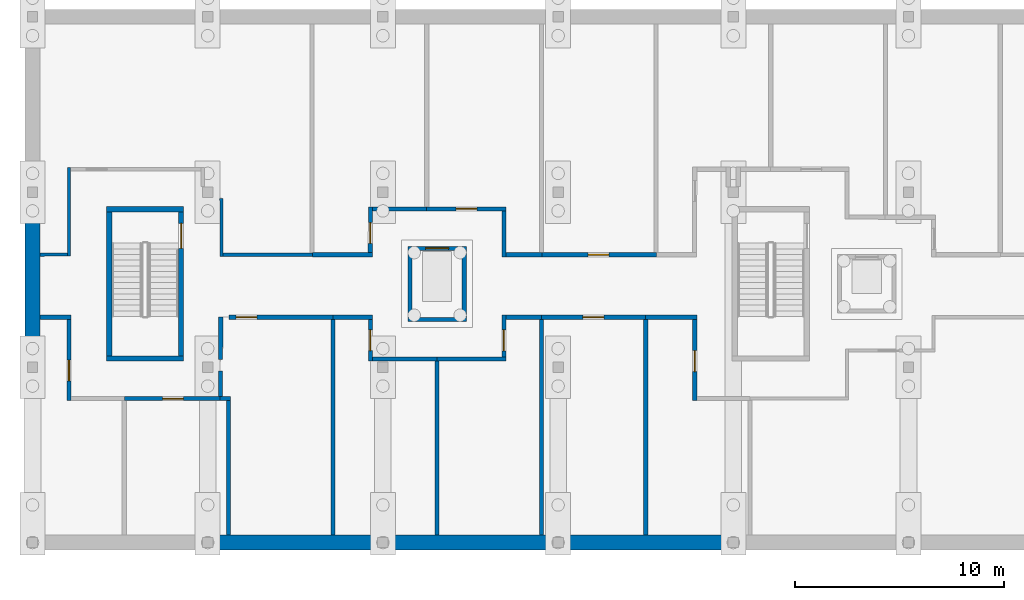
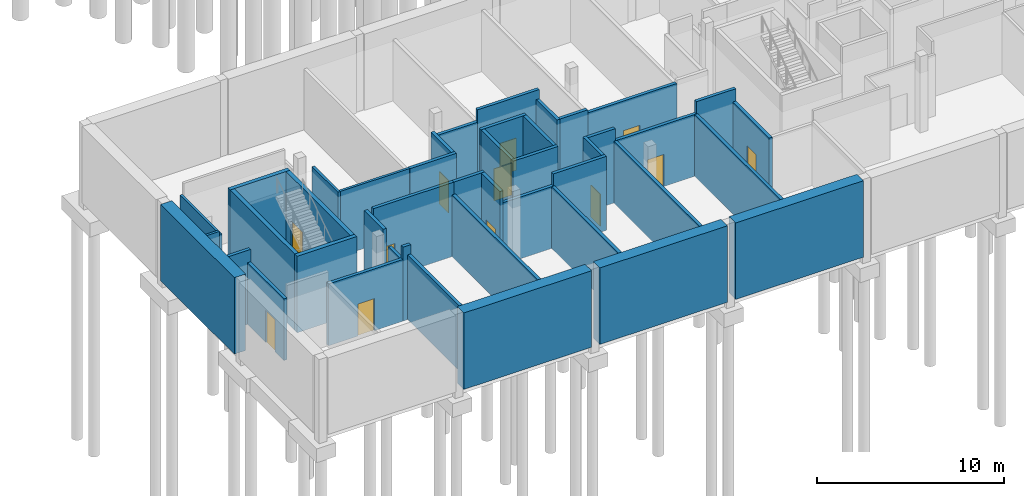
# One storey, part 9 of 33: 44 walls, 12 doors, 12 openings.
"""IFC4 building model written with IfcOpenShell, lengths in metres."""

from ifc_helpers import new_model, si_unit, direction, frame, frame_2d, origin, place, context, subcontext, project, spatial, rectangle, extrude, material, layer, layer_set, type_object, element, fill, save


model = new_model("IFC4")

# Units and contexts
model_context = context("Model", 3, precision=1e-05, world=origin(), true_north=direction((0.0, 1.0)))
body_context = subcontext(model_context, "Body", "Model", "MODEL_VIEW")
ifc_project = project(units=[si_unit("LENGTHUNIT", "METRE"), si_unit("AREAUNIT", "SQUARE_METRE"), si_unit("VOLUMEUNIT", "CUBIC_METRE"), si_unit("PLANEANGLEUNIT", "RADIAN"), si_unit("MASSUNIT", "GRAM", prefix="KILO")], contexts=[model_context])

# Site, building, storey
site_placement = place(None, origin())
site = spatial("IfcSite", under=ifc_project, at=site_placement, CompositionType="ELEMENT")
building_placement = place(site_placement, origin())
building = spatial("IfcBuilding", under=site, at=building_placement, Name="Larchfold Concert Hall", CompositionType="ELEMENT")
storey_placement = place(building_placement, frame((0.0, 0.0, -5.0)))
storey = spatial("IfcBuildingStorey", under=building, at=storey_placement, Name="B1", CompositionType="ELEMENT", Elevation=-5.0)

# Wall
ifc_material_1 = material(Name="Plasterboard partition on steel studs", Category="steel")
ifc_layer_1 = layer(ifc_material_1, 0.199951171875)
ifc_layer_set_1 = layer_set([ifc_layer_1], Name="Plasterboard partition on steel studs")
wall_type_1 = type_object("IfcWallType", Name="Acoustic partition 200", PredefinedType="PARTITIONING", material=ifc_layer_set_1)
wall_1_placement = place(storey_placement, frame((0.949951171875, 11.39990234375, 0.0), z_axis=(0.0, 0.0, 1.0), x_axis=(1.0, 0.0, 0.0)))
element("IfcWall", 1, at=wall_1_placement, inside=storey, type_object=wall_type_1, Name="Partition IW0080", PredefinedType="PARTITIONING", context=body_context, shape_type="SweptSolid", body=[
    extrude(rectangle(XDim=1.5, YDim=0.199951171875, at=frame_2d((0.75, 0.0))), origin(), (0.0, 0.0, 1.0), 4.840087890625),
])

# Wall, opening, door
wall_2_placement = place(storey_placement, frame((2.35009765625, 11.300048828125, 0.0), z_axis=(0.0, 0.0, 1.0), x_axis=(0.0, -1.0, 0.0)))
wall_2 = element("IfcWall", 2, at=wall_2_placement, inside=storey, type_object=wall_type_1, Name="Partition IW0081", PredefinedType="PARTITIONING", context=body_context, shape_type="SweptSolid", body=[
    extrude(rectangle(XDim=3.900146484375, YDim=0.199951171875, at=frame_2d((1.9501953125, 0.0))), origin(), (0.0, 0.0, 1.0), 4.0400390625),
])
opening_1_placement = place(wall_2_placement, frame((1.94970703125, 0.0, 0.0)))
opening_1 = element("IfcOpeningElement", 3, at=opening_1_placement, cuts=wall_2, Name="Opening D-B1-128", PredefinedType="OPENING", context=body_context, shape_type="SweptSolid", body=[
    extrude(rectangle(XDim=1.0, YDim=2.10009765625, at=frame_2d((0.5, 1.050048828125))), frame((0.0, 0.10986328125, 0.0), z_axis=(0.0, -1.0, 0.0), x_axis=(1.0, 0.0, 0.0)), (0.0, 0.0, 1.0), 0.219970703125),
])
ifc_material_2 = material(Name="Timber door leaf", Category="wood")
door_type_1 = type_object("IfcDoorType", Name="Practice and studio door, acoustic 1000 x 2100 FD30S", OperationType="SINGLE_SWING_LEFT", PredefinedType="DOOR", material=ifc_material_2)
door_1_placement = place(opening_1_placement, origin())
door_1 = element("IfcDoor", 4, at=door_1_placement, inside=storey, type_object=door_type_1, Name="Door D-B1-128", OperationType="SINGLE_SWING_LEFT", OverallHeight=2.10009765625, OverallWidth=1.0, PredefinedType="DOOR", context=body_context, shape_type="SweptSolid", body=[
    extrude(rectangle(XDim=1.0, YDim=2.10009765625, at=frame_2d((0.5, 1.050048828125))), frame((0.0, 0.02490234375, 0.0), z_axis=(0.0, -1.0, 0.0), x_axis=(1.0, 0.0, 0.0)), (0.0, 0.0, 1.0), 0.050048828125),
])
fill(opening_1, door_1)

# Walls
wall_3_placement = place(storey_placement, frame((15.0, 0.949951171875, 0.0), z_axis=(0.0, 0.0, 1.0), x_axis=(0.0, 1.0, 0.0)))
element("IfcWall", 5, at=wall_3_placement, inside=storey, type_object=wall_type_1, Name="Partition IW0083", PredefinedType="PARTITIONING", context=body_context, shape_type="SweptSolid", body=[
    extrude(rectangle(XDim=10.35009765625, YDim=0.199951171875, at=frame_2d((5.175048828125, 0.0))), origin(), (0.0, 0.0, 1.0), 4.0400390625),
])
wall_4_placement = place(storey_placement, frame((20.0, 9.300048828125, 0.0), z_axis=(0.0, 0.0, 1.0), x_axis=(0.0, -1.0, 0.0)))
element("IfcWall", 6, at=wall_4_placement, inside=storey, type_object=wall_type_1, Name="Partition IW0084", PredefinedType="PARTITIONING", context=body_context, shape_type="SweptSolid", body=[
    extrude(rectangle(XDim=8.35009765625, YDim=0.199951171875, at=frame_2d((4.175048828125, 0.0))), origin(), (0.0, 0.0, 1.0), 4.0400390625),
])
wall_5_placement = place(storey_placement, frame((15.0, 11.39990234375, 0.0), z_axis=(0.0, 0.0, 1.0), x_axis=(1.0, 0.0, 0.0)))
element("IfcWall", 7, at=wall_5_placement, inside=storey, type_object=wall_type_1, Name="Partition IW0085", PredefinedType="PARTITIONING", context=body_context, shape_type="SweptSolid", body=[
    extrude(rectangle(XDim=1.89990234375, YDim=0.199951171875, at=frame_2d((0.949951171875, 0.0))), origin(), (0.0, 0.0, 1.0), 4.840087890625),
])

# Wall, opening, door
wall_6_placement = place(storey_placement, frame((16.800048828125, 11.300048828125, 0.0), z_axis=(0.0, 0.0, 1.0), x_axis=(0.0, -1.0, 0.0)))
wall_6 = element("IfcWall", 8, at=wall_6_placement, inside=storey, type_object=wall_type_1, Name="Partition IW0086", PredefinedType="PARTITIONING", context=body_context, shape_type="SweptSolid", body=[
    extrude(rectangle(XDim=2.0, YDim=0.199951171875, at=frame_2d((1.0, 0.0))), origin(), (0.0, 0.0, 1.0), 4.840087890625),
])
opening_2_placement = place(wall_6_placement, frame((0.5, 0.0, 0.0)))
opening_2 = element("IfcOpeningElement", 9, at=opening_2_placement, cuts=wall_6, Name="Opening D-B1-129", PredefinedType="OPENING", context=body_context, shape_type="SweptSolid", body=[
    extrude(rectangle(XDim=1.0, YDim=2.10009765625, at=frame_2d((0.5, 1.050048828125))), frame((0.0, 0.10986328125, 0.0), z_axis=(0.0, -1.0, 0.0), x_axis=(1.0, 0.0, 0.0)), (0.0, 0.0, 1.0), 0.219970703125),
])
door_2_placement = place(opening_2_placement, origin())
door_2 = element("IfcDoor", 10, at=door_2_placement, inside=storey, type_object=door_type_1, Name="Door D-B1-129", OperationType="SINGLE_SWING_LEFT", OverallHeight=2.10009765625, OverallWidth=1.0, PredefinedType="DOOR", context=body_context, shape_type="SweptSolid", body=[
    extrude(rectangle(XDim=1.0, YDim=2.10009765625, at=frame_2d((0.5, 1.050048828125))), frame((0.0, 0.02490234375, 0.0), z_axis=(0.0, -1.0, 0.0), x_axis=(1.0, 0.0, 0.0)), (0.0, 0.0, 1.0), 0.050048828125),
])
fill(opening_2, door_2)

# Walls
wall_7_placement = place(storey_placement, frame((16.89990234375, 9.39990234375, 0.0), z_axis=(0.0, 0.0, 1.0), x_axis=(1.0, 0.0, 0.0)))
element("IfcWall", 11, at=wall_7_placement, inside=storey, type_object=wall_type_1, Name="Partition IW0087", PredefinedType="PARTITIONING", context=body_context, shape_type="SweptSolid", body=[
    extrude(rectangle(XDim=3.10009765625, YDim=0.199951171875, at=frame_2d((1.550048828125, 0.0))), origin(), (0.0, 0.0, 1.0), 4.0400390625),
])
wall_8_placement = place(storey_placement, frame((30.0, 0.949951171875, 0.0), z_axis=(0.0, 0.0, 1.0), x_axis=(0.0, 1.0, 0.0)))
element("IfcWall", 12, at=wall_8_placement, inside=storey, type_object=wall_type_1, Name="Partition IW0088", PredefinedType="PARTITIONING", context=body_context, shape_type="SweptSolid", body=[
    extrude(rectangle(XDim=10.35009765625, YDim=0.199951171875, at=frame_2d((5.175048828125, 0.0))), origin(), (0.0, 0.0, 1.0), 4.0400390625),
])
wall_9_placement = place(storey_placement, frame((30.0, 11.39990234375, 0.0), z_axis=(0.0, 0.0, 1.0), x_axis=(1.0, 0.0, 0.0)))
element("IfcWall", 13, at=wall_9_placement, inside=storey, type_object=wall_type_1, Name="Partition IW0090", PredefinedType="PARTITIONING", context=body_context, shape_type="SweptSolid", body=[
    extrude(rectangle(XDim=2.449951171875, YDim=0.199951171875, at=frame_2d((1.22509765625, 0.0))), origin(), (0.0, 0.0, 1.0), 4.840087890625),
])

# Wall, opening, door
wall_10_placement = place(storey_placement, frame((32.35009765625, 11.300048828125, 0.0), z_axis=(0.0, 0.0, 1.0), x_axis=(0.0, -1.0, 0.0)))
wall_10 = element("IfcWall", 14, at=wall_10_placement, inside=storey, type_object=wall_type_1, Name="Partition IW0091", PredefinedType="PARTITIONING", context=body_context, shape_type="SweptSolid", body=[
    extrude(rectangle(XDim=3.900146484375, YDim=0.199951171875, at=frame_2d((1.9501953125, 0.0))), origin(), (0.0, 0.0, 1.0), 4.0400390625),
])
opening_3_placement = place(wall_10_placement, frame((1.500244140625, 0.0, 0.0)))
opening_3 = element("IfcOpeningElement", 15, at=opening_3_placement, cuts=wall_10, Name="Opening D-B1-130", PredefinedType="OPENING", context=body_context, shape_type="SweptSolid", body=[
    extrude(rectangle(XDim=1.0, YDim=2.10009765625, at=frame_2d((0.5, 1.050048828125))), frame((0.0, 0.10986328125, 0.0), z_axis=(0.0, -1.0, 0.0), x_axis=(1.0, 0.0, 0.0)), (0.0, 0.0, 1.0), 0.219970703125),
])
door_3_placement = place(opening_3_placement, origin())
door_3 = element("IfcDoor", 16, at=door_3_placement, inside=storey, type_object=door_type_1, Name="Door D-B1-130", OperationType="SINGLE_SWING_LEFT", OverallHeight=2.10009765625, OverallWidth=1.0, PredefinedType="DOOR", context=body_context, shape_type="SweptSolid", body=[
    extrude(rectangle(XDim=1.0, YDim=2.10009765625, at=frame_2d((0.5, 1.050048828125))), frame((0.0, 0.02490234375, 0.0), z_axis=(0.0, -1.0, 0.0), x_axis=(1.0, 0.0, 0.0)), (0.0, 0.0, 1.0), 0.050048828125),
])
fill(opening_3, door_3)

# Walls
wall_11_placement = place(storey_placement, frame((9.60009765625, 7.5, 0.0), z_axis=(0.0, 0.0, 1.0), x_axis=(1.0, 0.0, 0.0)))
element("IfcWall", 17, at=wall_11_placement, inside=storey, type_object=wall_type_1, Name="Partition IW0093", PredefinedType="PARTITIONING", context=body_context, shape_type="SweptSolid", body=[
    extrude(rectangle(XDim=0.5, YDim=0.199951171875, at=frame_2d((0.25, 0.0))), origin(), (0.0, 0.0, 1.0), 4.840087890625),
])
wall_12_placement = place(storey_placement, frame((10.0, 7.39990234375, 0.0), z_axis=(0.0, 0.0, 1.0), x_axis=(0.0, -1.0, 0.0)))
element("IfcWall", 18, at=wall_12_placement, inside=storey, type_object=wall_type_1, Name="Partition IW0094", PredefinedType="PARTITIONING", context=body_context, shape_type="SweptSolid", body=[
    extrude(rectangle(XDim=6.449951171875, YDim=0.199951171875, at=frame_2d((3.22509765625, 0.0))), origin(), (0.0, 0.0, 1.0), 4.239990234375),
])

# Wall, opening, door
wall_13_placement = place(storey_placement, frame((5.0, 7.5, 0.0), z_axis=(0.0, 0.0, 1.0), x_axis=(1.0, 0.0, 0.0)))
wall_13 = element("IfcWall", 19, at=wall_13_placement, inside=storey, type_object=wall_type_1, Name="Partition IW0095", PredefinedType="PARTITIONING", context=body_context, shape_type="SweptSolid", body=[
    extrude(rectangle(XDim=4.59912109375, YDim=0.199951171875, at=frame_2d((2.299560546875, 0.0))), origin(), (0.0, 0.0, 1.0), 4.0400390625),
])
opening_4_placement = place(wall_13_placement, frame((1.83447265625, 0.0, 0.0)))
opening_4 = element("IfcOpeningElement", 20, at=opening_4_placement, cuts=wall_13, Name="Opening D-B1-131", PredefinedType="OPENING", context=body_context, shape_type="SweptSolid", body=[
    extrude(rectangle(XDim=1.0, YDim=2.10009765625, at=frame_2d((0.5, 1.050048828125))), frame((0.0, 0.10986328125, 0.0), z_axis=(0.0, -1.0, 0.0), x_axis=(1.0, 0.0, 0.0)), (0.0, 0.0, 1.0), 0.219970703125),
])
door_4_placement = place(opening_4_placement, origin())
door_4 = element("IfcDoor", 21, at=door_4_placement, inside=storey, type_object=door_type_1, Name="Door D-B1-131", OperationType="SINGLE_SWING_RIGHT", OverallHeight=2.10009765625, OverallWidth=1.0, PredefinedType="DOOR", context=body_context, shape_type="SweptSolid", body=[
    extrude(rectangle(XDim=1.0, YDim=2.10009765625, at=frame_2d((0.5, 1.050048828125))), frame((0.0, 0.02490234375, 0.0), z_axis=(0.0, -1.0, 0.0), x_axis=(1.0, 0.0, 0.0)), (0.0, 0.0, 1.0), 0.050048828125),
])
fill(opening_4, door_4)

# Walls
wall_14_placement = place(storey_placement, frame((9.619873046875, 7.60205078125, 0.0), z_axis=(0.0, 0.0, 1.0), x_axis=(-0.000795228377, 0.999999683806, 0.0)))
element("IfcWall", 22, at=wall_14_placement, inside=storey, type_object=wall_type_1, Name="Partition IW0096", PredefinedType="PARTITIONING", context=body_context, shape_type="SweptSolid", body=[
    extrude(rectangle(XDim=1.22802734375, YDim=0.199951171875, at=frame_2d((0.614013671875, 0.0))), origin(), (0.0, 0.0, 1.0), 4.0400390625),
])
wall_15_placement = place(storey_placement, frame((9.6201171875, 9.3701171875, 0.0), z_axis=(0.0, 0.0, 1.0), x_axis=(0.00191961254, 0.999998157542, 0.0)))
element("IfcWall", 23, at=wall_15_placement, inside=storey, type_object=wall_type_1, Name="Partition IW0097", PredefinedType="PARTITIONING", context=body_context, shape_type="SweptSolid", body=[
    extrude(rectangle(XDim=2.034912109375, YDim=0.199951171875, at=frame_2d((1.017578125, 0.0))), origin(), (0.0, 0.0, 1.0), 4.840087890625),
])

# Wall, opening, door
wall_16_placement = place(storey_placement, frame((10.029052734375, 11.39990234375, 0.0), z_axis=(0.0, 0.0, 1.0), x_axis=(1.0, 0.0, 0.0)))
wall_16 = element("IfcWall", 24, at=wall_16_placement, inside=storey, type_object=wall_type_1, Name="Partition IW0098", PredefinedType="PARTITIONING", context=body_context, shape_type="SweptSolid", body=[
    extrude(rectangle(XDim=4.970947265625, YDim=0.199951171875, at=frame_2d((2.4853515625, 0.0))), origin(), (0.0, 0.0, 1.0), 4.840087890625),
])
opening_5_placement = place(wall_16_placement, frame((0.331298828125, 0.0, 0.0)))
opening_5 = element("IfcOpeningElement", 25, at=opening_5_placement, cuts=wall_16, Name="Opening D-B1-132", PredefinedType="OPENING", context=body_context, shape_type="SweptSolid", body=[
    extrude(rectangle(XDim=1.0, YDim=2.10009765625, at=frame_2d((0.5, 1.050048828125))), frame((0.0, 0.10986328125, 0.0), z_axis=(0.0, -1.0, 0.0), x_axis=(1.0, 0.0, 0.0)), (0.0, 0.0, 1.0), 0.219970703125),
])
door_5_placement = place(opening_5_placement, origin())
door_5 = element("IfcDoor", 26, at=door_5_placement, inside=storey, type_object=door_type_1, Name="Door D-B1-132", OperationType="SINGLE_SWING_LEFT", OverallHeight=2.10009765625, OverallWidth=1.0, PredefinedType="DOOR", context=body_context, shape_type="SweptSolid", body=[
    extrude(rectangle(XDim=1.0, YDim=2.10009765625, at=frame_2d((0.5, 1.050048828125))), frame((0.0, 0.02490234375, 0.0), z_axis=(0.0, -1.0, 0.0), x_axis=(1.0, 0.0, 0.0)), (0.0, 0.0, 1.0), 0.050048828125),
])
fill(opening_5, door_5)

# Walls
wall_17_placement = place(storey_placement, frame((25.0, 11.300048828125, 0.0), z_axis=(0.0, 0.0, 1.0), x_axis=(0.0, -1.0, 0.0)))
element("IfcWall", 27, at=wall_17_placement, inside=storey, type_object=wall_type_1, Name="Partition IW0099", PredefinedType="PARTITIONING", context=body_context, shape_type="SweptSolid", body=[
    extrude(rectangle(XDim=10.35009765625, YDim=0.199951171875, at=frame_2d((5.175048828125, 0.0))), origin(), (0.0, 0.0, 1.0), 4.0400390625),
])
wall_18_placement = place(storey_placement, frame((20.0, 9.39990234375, 0.0), z_axis=(0.0, 0.0, 1.0), x_axis=(1.0, 0.0, 0.0)))
element("IfcWall", 28, at=wall_18_placement, inside=storey, type_object=wall_type_1, Name="Partition IW0100", PredefinedType="PARTITIONING", context=body_context, shape_type="SweptSolid", body=[
    extrude(rectangle(XDim=3.300048828125, YDim=0.199951171875, at=frame_2d((1.64990234375, 0.0))), origin(), (0.0, 0.0, 1.0), 4.840087890625),
])

# Wall, opening, door
wall_19_placement = place(storey_placement, frame((23.199951171875, 9.5, 0.0), z_axis=(0.0, 0.0, 1.0), x_axis=(0.0, 1.0, 0.0)))
wall_19 = element("IfcWall", 29, at=wall_19_placement, inside=storey, type_object=wall_type_1, Name="Partition IW0101", PredefinedType="PARTITIONING", context=body_context, shape_type="SweptSolid", body=[
    extrude(rectangle(XDim=2.0, YDim=0.199951171875, at=frame_2d((1.0, 0.0))), origin(), (0.0, 0.0, 1.0), 4.840087890625),
])
opening_6_placement = place(wall_19_placement, frame((0.290283203125, 0.0, 0.0)))
opening_6 = element("IfcOpeningElement", 30, at=opening_6_placement, cuts=wall_19, Name="Opening D-B1-133", PredefinedType="OPENING", context=body_context, shape_type="SweptSolid", body=[
    extrude(rectangle(XDim=1.0, YDim=2.10009765625, at=frame_2d((0.5, 1.050048828125))), frame((0.0, 0.10986328125, 0.0), z_axis=(0.0, -1.0, 0.0), x_axis=(1.0, 0.0, 0.0)), (0.0, 0.0, 1.0), 0.219970703125),
])
door_6_placement = place(opening_6_placement, origin())
door_6 = element("IfcDoor", 31, at=door_6_placement, inside=storey, type_object=door_type_1, Name="Door D-B1-133", OperationType="SINGLE_SWING_LEFT", OverallHeight=2.10009765625, OverallWidth=1.0, PredefinedType="DOOR", context=body_context, shape_type="SweptSolid", body=[
    extrude(rectangle(XDim=1.0, YDim=2.10009765625, at=frame_2d((0.5, 1.050048828125))), frame((0.0, 0.02490234375, 0.0), z_axis=(0.0, -1.0, 0.0), x_axis=(1.0, 0.0, 0.0)), (0.0, 0.0, 1.0), 0.050048828125),
])
fill(opening_6, door_6)

# Wall
wall_20_placement = place(storey_placement, frame((23.300048828125, 11.39990234375, 0.0), z_axis=(0.0, 0.0, 1.0), x_axis=(1.0, 0.0, 0.0)))
element("IfcWall", 32, at=wall_20_placement, inside=storey, type_object=wall_type_1, Name="Partition IW0102", PredefinedType="PARTITIONING", context=body_context, shape_type="SweptSolid", body=[
    extrude(rectangle(XDim=1.699951171875, YDim=0.199951171875, at=frame_2d((0.85009765625, 0.0))), origin(), (0.0, 0.0, 1.0), 4.840087890625),
])

# Wall, opening, door
wall_21_placement = place(storey_placement, frame((25.0, 11.39990234375, 0.0), z_axis=(0.0, 0.0, 1.0), x_axis=(1.0, 0.0, 0.0)))
wall_21 = element("IfcWall", 33, at=wall_21_placement, inside=storey, type_object=wall_type_1, Name="Partition IW0103", PredefinedType="PARTITIONING", context=body_context, shape_type="SweptSolid", body=[
    extrude(rectangle(XDim=5.0, YDim=0.199951171875, at=frame_2d((2.5, 0.0))), origin(), (0.0, 0.0, 1.0), 4.0400390625),
])
opening_7_placement = place(wall_21_placement, frame((1.990478515625, 0.0, 0.0)))
opening_7 = element("IfcOpeningElement", 34, at=opening_7_placement, cuts=wall_21, Name="Opening D-B1-134", PredefinedType="OPENING", context=body_context, shape_type="SweptSolid", body=[
    extrude(rectangle(XDim=1.0, YDim=2.10009765625, at=frame_2d((0.5, 1.050048828125))), frame((0.0, 0.10986328125, 0.0), z_axis=(0.0, -1.0, 0.0), x_axis=(1.0, 0.0, 0.0)), (0.0, 0.0, 1.0), 0.219970703125),
])
door_7_placement = place(opening_7_placement, origin())
door_7 = element("IfcDoor", 35, at=door_7_placement, inside=storey, type_object=door_type_1, Name="Door D-B1-134", OperationType="SINGLE_SWING_LEFT", OverallHeight=2.10009765625, OverallWidth=1.0, PredefinedType="DOOR", context=body_context, shape_type="SweptSolid", body=[
    extrude(rectangle(XDim=1.0, YDim=2.10009765625, at=frame_2d((0.5, 1.050048828125))), frame((0.0, 0.02490234375, 0.0), z_axis=(0.0, -1.0, 0.0), x_axis=(1.0, 0.0, 0.0)), (0.0, 0.0, 1.0), 0.050048828125),
])
fill(opening_7, door_7)

wall_22_placement = place(storey_placement, frame((19.47998046875, 16.59912109375, 0.0), z_axis=(0.0, 0.0, 1.0), x_axis=(1.0, 0.0, 0.0)))
wall_22 = element("IfcWall", 36, at=wall_22_placement, inside=storey, type_object=wall_type_1, Name="Partition IW0118", PredefinedType="PARTITIONING", context=body_context, shape_type="SweptSolid", body=[
    extrude(rectangle(XDim=3.819091796875, YDim=0.199951171875, at=frame_2d((1.90966796875, 0.0))), origin(), (0.0, 0.0, 1.0), 4.840087890625),
])
opening_8_placement = place(wall_22_placement, frame((1.4306640625, 0.0, 0.0)))
opening_8 = element("IfcOpeningElement", 37, at=opening_8_placement, cuts=wall_22, Name="Opening D-B1-138", PredefinedType="OPENING", context=body_context, shape_type="SweptSolid", body=[
    extrude(rectangle(XDim=1.0, YDim=2.10009765625, at=frame_2d((0.5, 1.050048828125))), frame((0.0, 0.10986328125, 0.0), z_axis=(0.0, -1.0, 0.0), x_axis=(1.0, 0.0, 0.0)), (0.0, 0.0, 1.0), 0.219970703125),
])
door_8_placement = place(opening_8_placement, origin())
door_8 = element("IfcDoor", 38, at=door_8_placement, inside=storey, type_object=door_type_1, Name="Door D-B1-138", OperationType="SINGLE_SWING_LEFT", OverallHeight=2.10009765625, OverallWidth=1.0, PredefinedType="DOOR", context=body_context, shape_type="SweptSolid", body=[
    extrude(rectangle(XDim=1.0, YDim=2.10009765625, at=frame_2d((0.5, 1.050048828125))), frame((0.0, 0.02490234375, 0.0), z_axis=(0.0, -1.0, 0.0), x_axis=(1.0, 0.0, 0.0)), (0.0, 0.0, 1.0), 0.050048828125),
])
fill(opening_8, door_8)

# Walls
wall_23_placement = place(storey_placement, frame((23.199462890625, 16.4990234375, 0.0), z_axis=(0.0, 0.0, 1.0), x_axis=(0.004549947354, -0.999989648936, 0.0)))
element("IfcWall", 39, at=wall_23_placement, inside=storey, type_object=wall_type_1, Name="Partition IW0119", PredefinedType="PARTITIONING", context=body_context, shape_type="SweptSolid", body=[
    extrude(rectangle(XDim=2.199951171875, YDim=0.199951171875, at=frame_2d((1.10009765625, 0.0))), origin(), (0.0, 0.0, 1.0), 4.239990234375),
])
wall_24_placement = place(storey_placement, frame((23.30908203125, 14.39892578125, 0.0), z_axis=(0.0, 0.0, 1.0), x_axis=(1.0, 0.0, 0.0)))
element("IfcWall", 40, at=wall_24_placement, inside=storey, type_object=wall_type_1, Name="Partition IW0120", PredefinedType="PARTITIONING", context=body_context, shape_type="SweptSolid", body=[
    extrude(rectangle(XDim=1.7109375, YDim=0.199951171875, at=frame_2d((0.85546875, 0.0))), origin(), (0.0, 0.0, 1.0), 4.239990234375),
])

# Wall, opening, door
wall_25_placement = place(storey_placement, frame((25.02001953125, 14.39892578125, 0.0), z_axis=(0.0, 0.0, 1.0), x_axis=(1.0, 0.0, 0.0)))
wall_25 = element("IfcWall", 41, at=wall_25_placement, inside=storey, type_object=wall_type_1, Name="Partition IW0121", PredefinedType="PARTITIONING", context=body_context, shape_type="SweptSolid", body=[
    extrude(rectangle(XDim=5.5, YDim=0.199951171875, at=frame_2d((2.75, 0.0))), origin(), (0.0, 0.0, 1.0), 4.0400390625),
])
opening_9_placement = place(wall_25_placement, frame((2.220458984375, 0.0, 0.0)))
opening_9 = element("IfcOpeningElement", 42, at=opening_9_placement, cuts=wall_25, Name="Opening D-B1-139", PredefinedType="OPENING", context=body_context, shape_type="SweptSolid", body=[
    extrude(rectangle(XDim=1.0, YDim=2.10009765625, at=frame_2d((0.5, 1.050048828125))), frame((0.0, 0.10986328125, 0.0), z_axis=(0.0, -1.0, 0.0), x_axis=(1.0, 0.0, 0.0)), (0.0, 0.0, 1.0), 0.219970703125),
])
door_9_placement = place(opening_9_placement, origin())
door_9 = element("IfcDoor", 43, at=door_9_placement, inside=storey, type_object=door_type_1, Name="Door D-B1-139", OperationType="SINGLE_SWING_RIGHT", OverallHeight=2.10009765625, OverallWidth=1.0, PredefinedType="DOOR", context=body_context, shape_type="SweptSolid", body=[
    extrude(rectangle(XDim=1.0, YDim=2.10009765625, at=frame_2d((0.5, 1.050048828125))), frame((0.0, 0.02490234375, 0.0), z_axis=(0.0, -1.0, 0.0), x_axis=(1.0, 0.0, 0.0)), (0.0, 0.0, 1.0), 0.050048828125),
])
fill(opening_9, door_9)

# Wall
wall_26_placement = place(storey_placement, frame((14.02001953125, 14.39892578125, 0.0), z_axis=(0.0, 0.0, 1.0), x_axis=(0.999999909799, 0.000424736625, 0.0)))
element("IfcWall", 44, at=wall_26_placement, inside=storey, type_object=wall_type_1, Name="Partition IW0129", PredefinedType="PARTITIONING", context=body_context, shape_type="SweptSolid", body=[
    extrude(rectangle(XDim=2.8740234375, YDim=0.199951171875, at=frame_2d((1.43701171875, 0.0))), origin(), (0.0, 0.0, 1.0), 4.239990234375),
])

# Wall, opening, door
wall_27_placement = place(storey_placement, frame((16.79443359375, 14.5, 0.0), z_axis=(0.0, 0.0, 1.0), x_axis=(0.003108678218, 0.999995168048, 0.0)))
wall_27 = element("IfcWall", 45, at=wall_27_placement, inside=storey, type_object=wall_type_1, Name="Partition IW0130", PredefinedType="PARTITIONING", context=body_context, shape_type="SweptSolid", body=[
    extrude(rectangle(XDim=2.198974609375, YDim=0.199951171875, at=frame_2d((1.099609375, 0.0))), origin(), (0.0, 0.0, 1.0), 4.239990234375),
])
opening_10_placement = place(wall_27_placement, frame((0.440185546875, 0.0, 0.0)))
opening_10 = element("IfcOpeningElement", 46, at=opening_10_placement, cuts=wall_27, Name="Opening D-B1-143", PredefinedType="OPENING", context=body_context, shape_type="SweptSolid", body=[
    extrude(rectangle(XDim=1.0, YDim=2.10009765625, at=frame_2d((0.5, 1.050048828125))), frame((0.0, 0.10986328125, 0.0), z_axis=(0.0, -1.0, 0.0), x_axis=(1.0, 0.0, 0.0)), (0.0, 0.0, 1.0), 0.219970703125),
])
door_10_placement = place(opening_10_placement, origin())
door_10 = element("IfcDoor", 47, at=door_10_placement, inside=storey, type_object=door_type_1, Name="Door D-B1-143", OperationType="SINGLE_SWING_LEFT", OverallHeight=2.10009765625, OverallWidth=1.0, PredefinedType="DOOR", context=body_context, shape_type="SweptSolid", body=[
    extrude(rectangle(XDim=1.0, YDim=2.10009765625, at=frame_2d((0.5, 1.050048828125))), frame((0.0, 0.02490234375, 0.0), z_axis=(0.0, -1.0, 0.0), x_axis=(1.0, 0.0, 0.0)), (0.0, 0.0, 1.0), 0.050048828125),
])
fill(opening_10, door_10)

# Walls
wall_28_placement = place(storey_placement, frame((16.90087890625, 16.59912109375, 0.0), z_axis=(0.0, 0.0, 1.0), x_axis=(1.0, 0.0, 0.0)))
element("IfcWall", 48, at=wall_28_placement, inside=storey, type_object=wall_type_1, Name="Partition IW0131", PredefinedType="PARTITIONING", context=body_context, shape_type="SweptSolid", body=[
    extrude(rectangle(XDim=2.5791015625, YDim=0.199951171875, at=frame_2d((1.28955078125, 0.0))), origin(), (0.0, 0.0, 1.0), 4.0400390625),
])
ifc_material_3 = material(Name="Plasterboard partition on steel studs", Category="steel")
ifc_layer_2 = layer(ifc_material_3, 0.14990234375)
ifc_layer_set_2 = layer_set([ifc_layer_2], Name="Plasterboard partition on steel studs")
wall_type_2 = type_object("IfcWallType", Name="Shaft and plant partition 150 EI 120", PredefinedType="PARTITIONING", material=ifc_layer_set_2)
wall_29_placement = place(storey_placement, frame((2.35009765625, 14.3310546875, 0.0), z_axis=(0.0, 0.0, 1.0), x_axis=(0.000230162834, 0.999999973513, 0.0)))
element("IfcWall", 49, at=wall_29_placement, inside=storey, type_object=wall_type_2, Name="Partition IW0112", PredefinedType="PARTITIONING", context=body_context, shape_type="SweptSolid", body=[
    extrude(rectangle(XDim=4.242919921875, YDim=0.14990234375, at=frame_2d((2.12158203125, 0.0))), origin(), (0.0, 0.0, 1.0), 4.0400390625),
])
wall_30_placement = place(storey_placement, frame((9.652099609375, 17.0849609375, 0.0), z_axis=(0.0, 0.0, 1.0), x_axis=(0.002564320864, -0.999996712124, 0.0)))
element("IfcWall", 50, at=wall_30_placement, inside=storey, type_object=wall_type_2, Name="Partition IW0115", PredefinedType="PARTITIONING", context=body_context, shape_type="SweptSolid", body=[
    extrude(rectangle(XDim=2.760986328125, YDim=0.14990234375, at=frame_2d((1.38037109375, 0.0))), origin(), (0.0, 0.0, 1.0), 4.239990234375),
])
wall_31_placement = place(storey_placement, frame((9.73388671875, 14.39892578125, 0.0), z_axis=(0.0, 0.0, 1.0), x_axis=(1.0, 0.0, 0.0)))
element("IfcWall", 51, at=wall_31_placement, inside=storey, type_object=wall_type_2, Name="Partition IW0116", PredefinedType="PARTITIONING", context=body_context, shape_type="SweptSolid", body=[
    extrude(rectangle(XDim=4.2861328125, YDim=0.14990234375, at=frame_2d((2.14306640625, 0.0))), origin(), (0.0, 0.0, 1.0), 4.239990234375),
])
wall_32_placement = place(storey_placement, frame((0.949951171875, 14.400146484375, 0.0), z_axis=(0.0, 0.0, 1.0), x_axis=(0.999991019507, 0.004238030855, 0.0)))
element("IfcWall", 52, at=wall_32_placement, inside=storey, type_object=wall_type_2, Name="Partition IW0117", PredefinedType="PARTITIONING", context=body_context, shape_type="SweptSolid", body=[
    extrude(rectangle(XDim=1.324951171875, YDim=0.14990234375, at=frame_2d((0.66259765625, 0.0))), origin(), (0.0, 0.0, 1.0), 4.239990234375),
])
ifc_material_4 = material(Name="Concrete C40/50", Category="concrete")
ifc_layer_3 = layer(ifc_material_4, 0.199951171875)
ifc_layer_set_3 = layer_set([ifc_layer_3], Name="Concrete C40/50")
wall_type_3 = type_object("IfcWallType", Name="Wall RC 200 lift shaft", PredefinedType="SOLIDWALL", material=ifc_layer_set_3)
wall_33_placement = place(storey_placement, frame((18.60009765625, 11.300048828125, -1.39990234375), z_axis=(0.0, 0.0, 1.0), x_axis=(1.0, 0.0, 0.0)))
element("IfcWall", 53, at=wall_33_placement, inside=storey, type_object=wall_type_3, Name="Wall W0192", PredefinedType="SOLIDWALL", context=body_context, shape_type="SweptSolid", body=[
    extrude(rectangle(XDim=2.7998046875, YDim=0.199951171875, at=frame_2d((1.39990234375, 0.0))), origin(), (0.0, 0.0, 1.0), 6.39990234375),
])

# Wall, opening, door
wall_34_placement = place(storey_placement, frame((18.60009765625, 14.699951171875, -1.39990234375), z_axis=(0.0, 0.0, 1.0), x_axis=(1.0, 0.0, 0.0)))
wall_34 = element("IfcWall", 54, at=wall_34_placement, inside=storey, type_object=wall_type_3, Name="Wall W0193", PredefinedType="SOLIDWALL", context=body_context, shape_type="SweptSolid", body=[
    extrude(rectangle(XDim=2.7998046875, YDim=0.199951171875, at=frame_2d((1.39990234375, 0.0))), origin(), (0.0, 0.0, 1.0), 6.39990234375),
])
opening_11_placement = place(wall_34_placement, frame((0.849853515625, 0.0, 1.39990234375)))
opening_11 = element("IfcOpeningElement", 55, at=opening_11_placement, cuts=wall_34, Name="Opening LD-LF10", PredefinedType="OPENING", context=body_context, shape_type="SweptSolid", body=[
    extrude(rectangle(XDim=1.10009765625, YDim=2.10009765625, at=frame_2d((0.550048828125, 1.050048828125))), frame((0.0, 0.10986328125, 0.0), z_axis=(0.0, -1.0, 0.0), x_axis=(1.0, 0.0, 0.0)), (0.0, 0.0, 1.0), 0.219970703125),
])
ifc_material_5 = material(Name="Stainless steel sliding leaves", Category="steel")
door_type_2 = type_object("IfcDoorType", Name="Lift landing door sliding 1100 x 2100", OperationType="SLIDING_TO_LEFT", PredefinedType="DOOR", material=ifc_material_5)
door_11_placement = place(opening_11_placement, origin())
door_11 = element("IfcDoor", 56, at=door_11_placement, inside=storey, type_object=door_type_2, Name="Lift landing door LF10", OperationType="SLIDING_TO_LEFT", OverallHeight=2.10009765625, OverallWidth=1.10009765625, PredefinedType="DOOR", context=body_context, shape_type="SweptSolid", body=[
    extrude(rectangle(XDim=1.10009765625, YDim=2.10009765625, at=frame_2d((0.550048828125, 1.050048828125))), frame((0.0, 0.02490234375, 0.0), z_axis=(0.0, -1.0, 0.0), x_axis=(1.0, 0.0, 0.0)), (0.0, 0.0, 1.0), 0.050048828125),
])
fill(opening_11, door_11)

# Walls
for number, where, z_axis, x_axis, name in (
    (57, (18.7001953125, 11.39990234375, -1.39990234375), (0.0, 0.0, 1.0), (0.0, 1.0, 0.0), "Wall W0194"),
    (58, (21.2998046875, 11.39990234375, -1.39990234375), (0.0, 0.0, 1.0), (0.0, 1.0, 0.0), "Wall W0195"),
):
    element("IfcWall", number, at=place(storey_placement, frame(where, z_axis=z_axis, x_axis=x_axis)), inside=storey, type_object=wall_type_3, Name=name, PredefinedType="SOLIDWALL", context=body_context, shape_type="SweptSolid", body=[
        extrude(rectangle(XDim=3.2001953125, YDim=0.199951171875, at=frame_2d((1.60009765625, 0.0))), origin(), (0.0, 0.0, 1.0), 6.39990234375),
    ])
ifc_material_6 = material(Name="Concrete C40/50", Category="concrete")
ifc_layer_4 = layer(ifc_material_6, 0.25)
ifc_layer_set_4 = layer_set([ifc_layer_4], Name="Concrete C40/50")
wall_type_4 = type_object("IfcWallType", Name="Wall RC 250 stair core", PredefinedType="SOLIDWALL", material=ifc_layer_set_4)
for number, where, z_axis, x_axis, name in (
    (59, (4.14990234375, 9.425048828125, 0.0), (0.0, 0.0, 1.0), (1.0, 0.0, 0.0), "Wall W0164"),
    (60, (4.14990234375, 16.574951171875, 0.0), (0.0, 0.0, 1.0), (1.0, 0.0, 0.0), "Wall W0165"),
):
    element("IfcWall", number, at=place(storey_placement, frame(where, z_axis=z_axis, x_axis=x_axis)), inside=storey, type_object=wall_type_4, Name=name, PredefinedType="SOLIDWALL", context=body_context, shape_type="SweptSolid", body=[
        extrude(rectangle(XDim=3.7001953125, YDim=0.25, at=frame_2d((1.85009765625, 0.0))), origin(), (0.0, 0.0, 1.0), 5.0),
    ])
wall_35_placement = place(storey_placement, frame((4.27490234375, 9.550048828125, 0.0), z_axis=(0.0, 0.0, 1.0), x_axis=(0.0, 1.0, 0.0)))
element("IfcWall", 61, at=wall_35_placement, inside=storey, type_object=wall_type_4, Name="Wall W0166", PredefinedType="SOLIDWALL", context=body_context, shape_type="SweptSolid", body=[
    extrude(rectangle(XDim=6.89990234375, YDim=0.25, at=frame_2d((3.449951171875, 0.0))), origin(), (0.0, 0.0, 1.0), 5.0),
])

# Wall, opening, door
wall_36_placement = place(storey_placement, frame((7.72509765625, 9.550048828125, 0.0), z_axis=(0.0, 0.0, 1.0), x_axis=(0.0, 1.0, 0.0)))
wall_36 = element("IfcWall", 62, at=wall_36_placement, inside=storey, type_object=wall_type_4, Name="Wall W0167", PredefinedType="SOLIDWALL", context=body_context, shape_type="SweptSolid", body=[
    extrude(rectangle(XDim=6.89990234375, YDim=0.25, at=frame_2d((3.449951171875, 0.0))), origin(), (0.0, 0.0, 1.0), 5.0),
])
opening_12_placement = place(wall_36_placement, frame((5.14990234375, 0.0, 0.0)))
opening_12 = element("IfcOpeningElement", 63, at=opening_12_placement, cuts=wall_36, Name="Opening D-B1-157", PredefinedType="OPENING", context=body_context, shape_type="SweptSolid", body=[
    extrude(rectangle(XDim=1.199951171875, YDim=2.10009765625, at=frame_2d((0.60009765625, 1.050048828125))), frame((0.0, 0.135009765625, 0.0), z_axis=(0.0, -1.0, 0.0), x_axis=(1.0, 0.0, 0.0)), (0.0, 0.0, 1.0), 0.27001953125),
])
ifc_material_7 = material(Name="Timber door leaf", Category="wood")
door_type_3 = type_object("IfcDoorType", Name="Stair enclosure door pair 1200 x 2100 FD60", OperationType="SINGLE_SWING_LEFT", PredefinedType="DOOR", material=ifc_material_7)
door_12_placement = place(opening_12_placement, origin())
door_12 = element("IfcDoor", 64, at=door_12_placement, inside=storey, type_object=door_type_3, Name="Door D-B1-157", OperationType="DOUBLE_DOOR_SINGLE_SWING", OverallHeight=2.10009765625, OverallWidth=1.199951171875, PredefinedType="DOOR", context=body_context, shape_type="SweptSolid", body=[
    extrude(rectangle(XDim=1.199951171875, YDim=2.10009765625, at=frame_2d((0.60009765625, 1.050048828125))), frame((0.0, 0.02490234375, 0.0), z_axis=(0.0, -1.0, 0.0), x_axis=(1.0, 0.0, 0.0)), (0.0, 0.0, 1.0), 0.050048828125),
])
fill(opening_12, door_12)

# Walls
ifc_material_8 = material(Name="Concrete C30/37", Category="concrete")
ifc_layer_5 = layer(ifc_material_8, 0.699951171875)
ifc_layer_set_5 = layer_set([ifc_layer_5], Name="Concrete C30/37")
wall_type_5 = type_object("IfcWallType", Name="Wall RC 700 retaining wall", PredefinedType="SOLIDWALL", material=ifc_layer_set_5)
for number, where, z_axis, x_axis, name in (
    (65, (0.60009765625, 9.25, 0.0), (0.0, 0.0, 1.0), (0.0, 1.0, 0.0), "Wall W0090"),
    (66, (33.949951171875, 0.60009765625, 0.0), (0.0, 0.0, 1.0), (-1.0, 0.0, 0.0), "Wall W0105"),
):
    element("IfcWall", number, at=place(storey_placement, frame(where, z_axis=z_axis, x_axis=x_axis)), inside=storey, type_object=wall_type_5, Name=name, PredefinedType="SOLIDWALL", context=body_context, shape_type="SweptSolid", body=[
        extrude(rectangle(XDim=7.89990234375, YDim=0.699951171875, at=frame_2d((3.949951171875, 0.0))), origin(), (0.0, 0.0, 1.0), 5.0),
    ])
wall_37_placement = place(storey_placement, frame((25.550048828125, 0.60009765625, 0.0), z_axis=(0.0, 0.0, 1.0), x_axis=(-1.0, 0.0, 0.0)))
element("IfcWall", 67, at=wall_37_placement, inside=storey, type_object=wall_type_5, Name="Wall W0106", PredefinedType="SOLIDWALL", context=body_context, shape_type="SweptSolid", body=[
    extrude(rectangle(XDim=7.900146484375, YDim=0.699951171875, at=frame_2d((3.9501953125, 0.0))), origin(), (0.0, 0.0, 1.0), 5.0),
])
wall_38_placement = place(storey_placement, frame((17.14990234375, 0.60009765625, 0.0), z_axis=(0.0, 0.0, 1.0), x_axis=(-1.0, 0.0, 0.0)))
element("IfcWall", 68, at=wall_38_placement, inside=storey, type_object=wall_type_5, Name="Wall W0107", PredefinedType="SOLIDWALL", context=body_context, shape_type="SweptSolid", body=[
    extrude(rectangle(XDim=7.89990234375, YDim=0.699951171875, at=frame_2d((3.949951171875, 0.0))), origin(), (0.0, 0.0, 1.0), 5.0),
])

save(model, "model.ifc")
